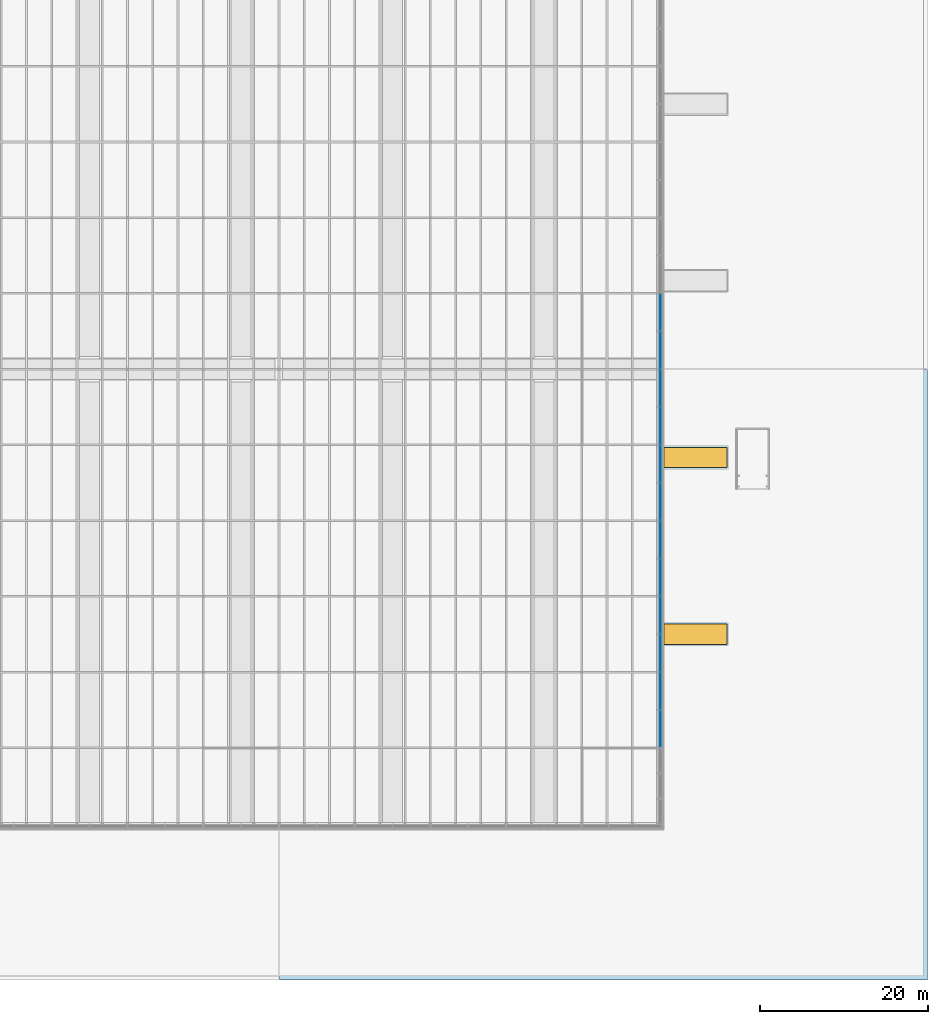
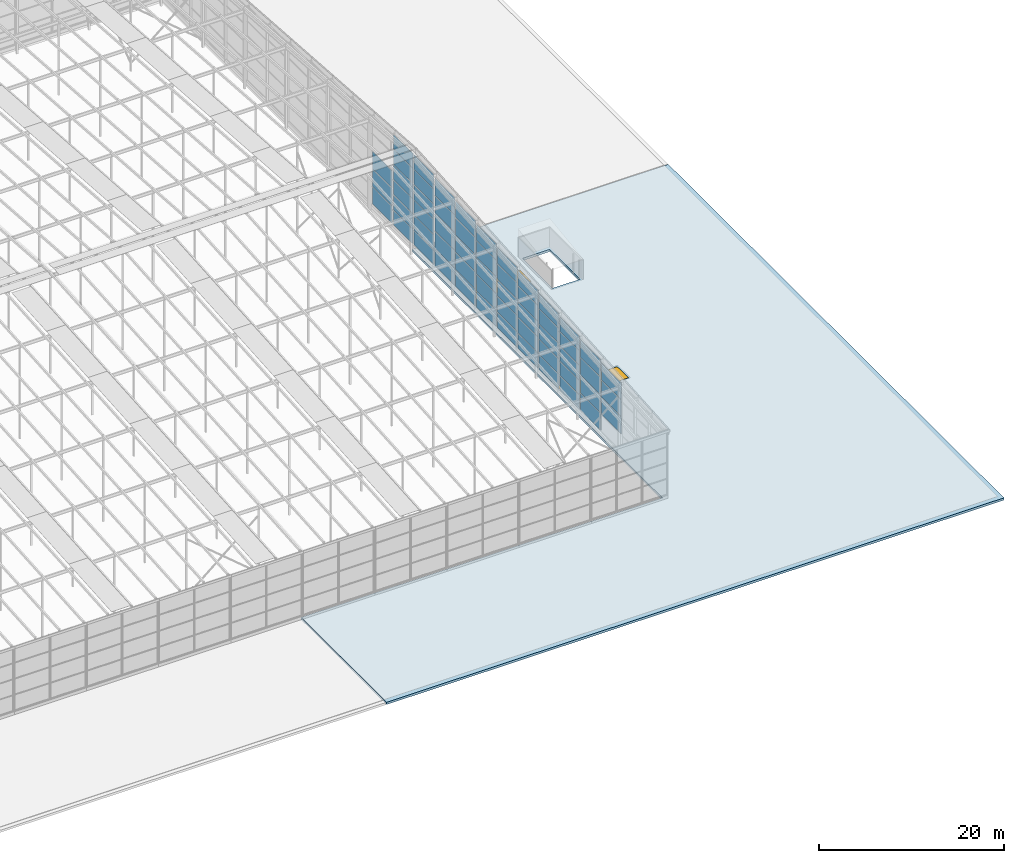
"""IFC4 building model written with IfcOpenShell, lengths in metres."""

from ifc_helpers import new_model, si_unit, direction, frame, origin, origin_2d, place, context, subcontext, project, spatial, polyline, rectangle, outline, extrude, material, layer, layer_set, type_object, element, fill, aggregate, save


model = new_model("IFC4")

# Units and contexts
model_context = context("Model", 3, precision=1e-05, world=origin(), true_north=direction((0.0, 1.0)))
body_context = subcontext(model_context, "Body", "Model", "MODEL_VIEW")
ifc_project = project(units=[si_unit("LENGTHUNIT", "METRE"), si_unit("AREAUNIT", "SQUARE_METRE"), si_unit("VOLUMEUNIT", "CUBIC_METRE"), si_unit("PLANEANGLEUNIT", "RADIAN"), si_unit("MASSUNIT", "GRAM", prefix="KILO")], contexts=[model_context])

# Site, building, storey
site_placement = place(None, origin())
site = spatial("IfcSite", under=ifc_project, at=site_placement, CompositionType="ELEMENT")
building_placement = place(site_placement, origin())
building = spatial("IfcBuilding", under=site, at=building_placement, Name="Silverbay Arena", CompositionType="ELEMENT")
storey_1_placement = place(building_placement, frame((0.0, 0.0, 47.10009765625)))
storey_1 = spatial("IfcBuildingStorey", under=building, at=storey_1_placement, Name="ROOF", CompositionType="ELEMENT", Elevation=47.10009765625)

# Curtain wall, plates
ifc_material_1 = material(Name="Aluminium framed glazing", Category="aluminium")
curtain_wall_type_1 = type_object("IfcCurtainWallType", Name="Curtain wall crown 4500 x 9100", PredefinedType="NOTDEFINED", material=ifc_material_1)
curtain_wall_1_placement = place(storey_1_placement, origin())
curtain_wall_1 = element("IfcCurtainWall", 1, at=curtain_wall_1_placement, inside=storey_1, type_object=curtain_wall_type_1, Name="ROOF CROWN CURTAIN WALL east bay 04", PredefinedType="NOTDEFINED")
ifc_material_2 = material(Name="Laminated glass", Category="glass")
ifc_layer_1 = layer(ifc_material_2, 0.031982421875)
ifc_layer_set_1 = layer_set([ifc_layer_1], Name="Laminated glass")
plate_type = type_object("IfcPlateType", Name="Glass panel 32", PredefinedType="CURTAIN_PANEL", material=ifc_layer_set_1)
storey_2_placement = place(building_placement, frame((0.0, 0.0, 33.5)))
plate_1_placement = place(storey_2_placement, frame((180.35009765625, 38.25, 16.35498046875), z_axis=(0.0, 0.0, 1.0), x_axis=(0.0, 1.0, 0.0)))
plate_1 = element("IfcPlate", 2, at=plate_1_placement, type_object=plate_type, Name="CW66 panel 1.2", PredefinedType="CURTAIN_PANEL", context=body_context, shape_type="SweptSolid", body=[
    extrude(rectangle(XDim=4.300048828125, YDim=0.031982421875, at=origin_2d()), origin(), (0.0, 0.0, 1.0), 2.215087890625),
])
plate_2_placement = place(storey_2_placement, frame((180.35009765625, 38.25, 18.6298828125), z_axis=(0.0, 0.0, 1.0), x_axis=(0.0, 1.0, 0.0)))
plate_2 = element("IfcPlate", 3, at=plate_2_placement, type_object=plate_type, Name="CW66 panel 1.3", PredefinedType="CURTAIN_PANEL", context=body_context, shape_type="SweptSolid", body=[
    extrude(rectangle(XDim=4.300048828125, YDim=0.031982421875, at=origin_2d()), origin(), (0.0, 0.0, 1.0), 2.215087890625),
])
plate_3_placement = place(storey_2_placement, frame((180.35009765625, 38.25, 20.905029296875), z_axis=(0.0, 0.0, 1.0), x_axis=(0.0, 1.0, 0.0)))
plate_3 = element("IfcPlate", 4, at=plate_3_placement, type_object=plate_type, Name="CW66 panel 1.4", PredefinedType="CURTAIN_PANEL", context=body_context, shape_type="SweptSolid", body=[
    extrude(rectangle(XDim=4.300048828125, YDim=0.031982421875, at=origin_2d()), origin(), (0.0, 0.0, 1.0), 2.18505859375),
])
aggregate(curtain_wall_1, [plate_1, plate_2, plate_3])

ifc_material_3 = material(Name="Aluminium framed glazing", Category="aluminium")
curtain_wall_type_2 = type_object("IfcCurtainWallType", Name="Curtain wall crown 4500 x 9425", PredefinedType="NOTDEFINED", material=ifc_material_3)
curtain_wall_2_placement = place(storey_1_placement, origin())
curtain_wall_2 = element("IfcCurtainWall", 5, at=curtain_wall_2_placement, inside=storey_1, type_object=curtain_wall_type_2, Name="ROOF CROWN CURTAIN WALL east bay 05", PredefinedType="NOTDEFINED")
plate_4_placement = place(storey_2_placement, frame((180.35009765625, 42.75, 14.10986328125), z_axis=(0.0, 0.0, 1.0), x_axis=(0.0, 1.0, 0.0)))
plate_4 = element("IfcPlate", 6, at=plate_4_placement, type_object=plate_type, Name="CW67 panel 1.1", PredefinedType="CURTAIN_PANEL", context=body_context, shape_type="SweptSolid", body=[
    extrude(rectangle(XDim=4.300048828125, YDim=0.031982421875, at=origin_2d()), origin(), (0.0, 0.0, 1.0), 2.266357421875),
])
plate_5_placement = place(storey_2_placement, frame((180.35009765625, 42.75, 16.4365234375), z_axis=(0.0, 0.0, 1.0), x_axis=(0.0, 1.0, 0.0)))
plate_5 = element("IfcPlate", 7, at=plate_5_placement, type_object=plate_type, Name="CW67 panel 1.2", PredefinedType="CURTAIN_PANEL", context=body_context, shape_type="SweptSolid", body=[
    extrude(rectangle(XDim=4.300048828125, YDim=0.031982421875, at=origin_2d()), origin(), (0.0, 0.0, 1.0), 2.296142578125),
])
plate_6_placement = place(storey_2_placement, frame((180.35009765625, 42.75, 18.79248046875), z_axis=(0.0, 0.0, 1.0), x_axis=(0.0, 1.0, 0.0)))
plate_6 = element("IfcPlate", 8, at=plate_6_placement, type_object=plate_type, Name="CW67 panel 1.3", PredefinedType="CURTAIN_PANEL", context=body_context, shape_type="SweptSolid", body=[
    extrude(rectangle(XDim=4.300048828125, YDim=0.031982421875, at=origin_2d()), origin(), (0.0, 0.0, 1.0), 2.296142578125),
])
plate_7_placement = place(storey_2_placement, frame((180.35009765625, 42.75, 21.14892578125), z_axis=(0.0, 0.0, 1.0), x_axis=(0.0, 1.0, 0.0)))
plate_7 = element("IfcPlate", 9, at=plate_7_placement, type_object=plate_type, Name="CW67 panel 1.4", PredefinedType="CURTAIN_PANEL", context=body_context, shape_type="SweptSolid", body=[
    extrude(rectangle(XDim=4.300048828125, YDim=0.031982421875, at=origin_2d()), origin(), (0.0, 0.0, 1.0), 2.266357421875),
])
aggregate(curtain_wall_2, [plate_4, plate_5, plate_6, plate_7])

ifc_material_4 = material(Name="Aluminium framed glazing", Category="aluminium")
curtain_wall_type_3 = type_object("IfcCurtainWallType", Name="Curtain wall crown 4500 x 9750", PredefinedType="NOTDEFINED", material=ifc_material_4)
curtain_wall_3_placement = place(storey_1_placement, origin())
curtain_wall_3 = element("IfcCurtainWall", 10, at=curtain_wall_3_placement, inside=storey_1, type_object=curtain_wall_type_3, Name="ROOF CROWN CURTAIN WALL east bay 06", PredefinedType="NOTDEFINED")
plate_8_placement = place(storey_2_placement, frame((180.35009765625, 47.25, 14.10986328125), z_axis=(0.0, 0.0, 1.0), x_axis=(0.0, 1.0, 0.0)))
plate_8 = element("IfcPlate", 11, at=plate_8_placement, type_object=plate_type, Name="CW68 panel 1.1", PredefinedType="CURTAIN_PANEL", context=body_context, shape_type="SweptSolid", body=[
    extrude(rectangle(XDim=4.300048828125, YDim=0.031982421875, at=origin_2d()), origin(), (0.0, 0.0, 1.0), 1.860107421875),
])
plate_9_placement = place(storey_2_placement, frame((180.35009765625, 47.25, 16.0302734375), z_axis=(0.0, 0.0, 1.0), x_axis=(0.0, 1.0, 0.0)))
plate_9 = element("IfcPlate", 12, at=plate_9_placement, type_object=plate_type, Name="CW68 panel 1.2", PredefinedType="CURTAIN_PANEL", context=body_context, shape_type="SweptSolid", body=[
    extrude(rectangle(XDim=4.300048828125, YDim=0.031982421875, at=origin_2d()), origin(), (0.0, 0.0, 1.0), 1.889892578125),
])
plate_10_placement = place(storey_2_placement, frame((180.35009765625, 47.25, 17.97998046875), z_axis=(0.0, 0.0, 1.0), x_axis=(0.0, 1.0, 0.0)))
plate_10 = element("IfcPlate", 13, at=plate_10_placement, type_object=plate_type, Name="CW68 panel 1.3", PredefinedType="CURTAIN_PANEL", context=body_context, shape_type="SweptSolid", body=[
    extrude(rectangle(XDim=4.300048828125, YDim=0.031982421875, at=origin_2d()), origin(), (0.0, 0.0, 1.0), 1.889892578125),
])
plate_11_placement = place(storey_2_placement, frame((180.35009765625, 47.25, 19.93017578125), z_axis=(0.0, 0.0, 1.0), x_axis=(0.0, 1.0, 0.0)))
plate_11 = element("IfcPlate", 14, at=plate_11_placement, type_object=plate_type, Name="CW68 panel 1.4", PredefinedType="CURTAIN_PANEL", context=body_context, shape_type="SweptSolid", body=[
    extrude(rectangle(XDim=4.300048828125, YDim=0.031982421875, at=origin_2d()), origin(), (0.0, 0.0, 1.0), 1.889892578125),
])
plate_12_placement = place(storey_2_placement, frame((180.35009765625, 47.25, 21.8798828125), z_axis=(0.0, 0.0, 1.0), x_axis=(0.0, 1.0, 0.0)))
plate_12 = element("IfcPlate", 15, at=plate_12_placement, type_object=plate_type, Name="CW68 panel 1.5", PredefinedType="CURTAIN_PANEL", context=body_context, shape_type="SweptSolid", body=[
    extrude(rectangle(XDim=4.300048828125, YDim=0.031982421875, at=origin_2d()), origin(), (0.0, 0.0, 1.0), 1.860107421875),
])
aggregate(curtain_wall_3, [plate_8, plate_9, plate_10, plate_11, plate_12])

ifc_material_5 = material(Name="Aluminium framed glazing", Category="aluminium")
curtain_wall_type_4 = type_object("IfcCurtainWallType", Name="Curtain wall crown 4500 x 10075", PredefinedType="NOTDEFINED", material=ifc_material_5)
curtain_wall_4_placement = place(storey_1_placement, origin())
curtain_wall_4 = element("IfcCurtainWall", 16, at=curtain_wall_4_placement, inside=storey_1, type_object=curtain_wall_type_4, Name="ROOF CROWN CURTAIN WALL east bay 07", PredefinedType="NOTDEFINED")
plate_13_placement = place(storey_2_placement, frame((180.35009765625, 51.75, 14.10986328125), z_axis=(0.0, 0.0, 1.0), x_axis=(0.0, 1.0, 0.0)))
plate_13 = element("IfcPlate", 17, at=plate_13_placement, type_object=plate_type, Name="CW69 panel 1.1", PredefinedType="CURTAIN_PANEL", context=body_context, shape_type="SweptSolid", body=[
    extrude(rectangle(XDim=4.300048828125, YDim=0.031982421875, at=origin_2d()), origin(), (0.0, 0.0, 1.0), 1.925048828125),
])
plate_14_placement = place(storey_2_placement, frame((180.35009765625, 51.75, 16.094970703125), z_axis=(0.0, 0.0, 1.0), x_axis=(0.0, 1.0, 0.0)))
plate_14 = element("IfcPlate", 18, at=plate_14_placement, type_object=plate_type, Name="CW69 panel 1.2", PredefinedType="CURTAIN_PANEL", context=body_context, shape_type="SweptSolid", body=[
    extrude(rectangle(XDim=4.300048828125, YDim=0.031982421875, at=origin_2d()), origin(), (0.0, 0.0, 1.0), 1.955078125),
])
plate_15_placement = place(storey_2_placement, frame((180.35009765625, 51.75, 18.10986328125), z_axis=(0.0, 0.0, 1.0), x_axis=(0.0, 1.0, 0.0)))
plate_15 = element("IfcPlate", 19, at=plate_15_placement, type_object=plate_type, Name="CW69 panel 1.3", PredefinedType="CURTAIN_PANEL", context=body_context, shape_type="SweptSolid", body=[
    extrude(rectangle(XDim=4.300048828125, YDim=0.031982421875, at=origin_2d()), origin(), (0.0, 0.0, 1.0), 1.955078125),
])
plate_16_placement = place(storey_2_placement, frame((180.35009765625, 51.75, 20.125), z_axis=(0.0, 0.0, 1.0), x_axis=(0.0, 1.0, 0.0)))
plate_16 = element("IfcPlate", 20, at=plate_16_placement, type_object=plate_type, Name="CW69 panel 1.4", PredefinedType="CURTAIN_PANEL", context=body_context, shape_type="SweptSolid", body=[
    extrude(rectangle(XDim=4.300048828125, YDim=0.031982421875, at=origin_2d()), origin(), (0.0, 0.0, 1.0), 1.955078125),
])
plate_17_placement = place(storey_2_placement, frame((180.35009765625, 51.75, 22.14013671875), z_axis=(0.0, 0.0, 1.0), x_axis=(0.0, 1.0, 0.0)))
plate_17 = element("IfcPlate", 21, at=plate_17_placement, type_object=plate_type, Name="CW69 panel 1.5", PredefinedType="CURTAIN_PANEL", context=body_context, shape_type="SweptSolid", body=[
    extrude(rectangle(XDim=4.300048828125, YDim=0.031982421875, at=origin_2d()), origin(), (0.0, 0.0, 1.0), 1.925048828125),
])
aggregate(curtain_wall_4, [plate_13, plate_14, plate_15, plate_16, plate_17])

ifc_material_6 = material(Name="Aluminium framed glazing", Category="aluminium")
curtain_wall_type_5 = type_object("IfcCurtainWallType", Name="Curtain wall crown 4500 x 10400", PredefinedType="NOTDEFINED", material=ifc_material_6)
curtain_wall_5_placement = place(storey_1_placement, origin())
curtain_wall_5 = element("IfcCurtainWall", 22, at=curtain_wall_5_placement, inside=storey_1, type_object=curtain_wall_type_5, Name="ROOF CROWN CURTAIN WALL east bay 08", PredefinedType="NOTDEFINED")
plate_18_placement = place(storey_2_placement, frame((180.35009765625, 56.25, 14.10986328125), z_axis=(0.0, 0.0, 1.0), x_axis=(0.0, 1.0, 0.0)))
plate_18 = element("IfcPlate", 23, at=plate_18_placement, type_object=plate_type, Name="CW70 panel 1.1", PredefinedType="CURTAIN_PANEL", context=body_context, shape_type="SweptSolid", body=[
    extrude(rectangle(XDim=4.300048828125, YDim=0.031982421875, at=origin_2d()), origin(), (0.0, 0.0, 1.0), 1.989990234375),
])
plate_19_placement = place(storey_2_placement, frame((180.35009765625, 56.25, 16.159912109375), z_axis=(0.0, 0.0, 1.0), x_axis=(0.0, 1.0, 0.0)))
plate_19 = element("IfcPlate", 24, at=plate_19_placement, type_object=plate_type, Name="CW70 panel 1.2", PredefinedType="CURTAIN_PANEL", context=body_context, shape_type="SweptSolid", body=[
    extrude(rectangle(XDim=4.300048828125, YDim=0.031982421875, at=origin_2d()), origin(), (0.0, 0.0, 1.0), 2.02001953125),
])
plate_20_placement = place(storey_2_placement, frame((180.35009765625, 56.25, 18.239990234375), z_axis=(0.0, 0.0, 1.0), x_axis=(0.0, 1.0, 0.0)))
plate_20 = element("IfcPlate", 25, at=plate_20_placement, type_object=plate_type, Name="CW70 panel 1.3", PredefinedType="CURTAIN_PANEL", context=body_context, shape_type="SweptSolid", body=[
    extrude(rectangle(XDim=4.300048828125, YDim=0.031982421875, at=origin_2d()), origin(), (0.0, 0.0, 1.0), 2.02001953125),
])
plate_21_placement = place(storey_2_placement, frame((180.35009765625, 56.25, 20.320068359375), z_axis=(0.0, 0.0, 1.0), x_axis=(0.0, 1.0, 0.0)))
plate_21 = element("IfcPlate", 26, at=plate_21_placement, type_object=plate_type, Name="CW70 panel 1.4", PredefinedType="CURTAIN_PANEL", context=body_context, shape_type="SweptSolid", body=[
    extrude(rectangle(XDim=4.300048828125, YDim=0.031982421875, at=origin_2d()), origin(), (0.0, 0.0, 1.0), 2.02001953125),
])
plate_22_placement = place(storey_2_placement, frame((180.35009765625, 56.25, 22.39990234375), z_axis=(0.0, 0.0, 1.0), x_axis=(0.0, 1.0, 0.0)))
plate_22 = element("IfcPlate", 27, at=plate_22_placement, type_object=plate_type, Name="CW70 panel 1.5", PredefinedType="CURTAIN_PANEL", context=body_context, shape_type="SweptSolid", body=[
    extrude(rectangle(XDim=4.300048828125, YDim=0.031982421875, at=origin_2d()), origin(), (0.0, 0.0, 1.0), 1.989990234375),
])
aggregate(curtain_wall_5, [plate_18, plate_19, plate_20, plate_21, plate_22])

ifc_material_7 = material(Name="Aluminium framed glazing", Category="aluminium")
curtain_wall_type_6 = type_object("IfcCurtainWallType", Name="Curtain wall crown 4500 x 10725", PredefinedType="NOTDEFINED", material=ifc_material_7)
curtain_wall_6_placement = place(storey_1_placement, origin())
curtain_wall_6 = element("IfcCurtainWall", 28, at=curtain_wall_6_placement, inside=storey_1, type_object=curtain_wall_type_6, Name="ROOF CROWN CURTAIN WALL east bay 09", PredefinedType="NOTDEFINED")
plate_23_placement = place(storey_2_placement, frame((180.35009765625, 60.75, 14.10986328125), z_axis=(0.0, 0.0, 1.0), x_axis=(0.0, 1.0, 0.0)))
plate_23 = element("IfcPlate", 29, at=plate_23_placement, type_object=plate_type, Name="CW71 panel 1.1", PredefinedType="CURTAIN_PANEL", context=body_context, shape_type="SweptSolid", body=[
    extrude(rectangle(XDim=4.300048828125, YDim=0.031982421875, at=origin_2d()), origin(), (0.0, 0.0, 1.0), 2.054931640625),
])
plate_24_placement = place(storey_2_placement, frame((180.35009765625, 60.75, 16.22509765625), z_axis=(0.0, 0.0, 1.0), x_axis=(0.0, 1.0, 0.0)))
plate_24 = element("IfcPlate", 30, at=plate_24_placement, type_object=plate_type, Name="CW71 panel 1.2", PredefinedType="CURTAIN_PANEL", context=body_context, shape_type="SweptSolid", body=[
    extrude(rectangle(XDim=4.300048828125, YDim=0.031982421875, at=origin_2d()), origin(), (0.0, 0.0, 1.0), 2.0849609375),
])
plate_25_placement = place(storey_2_placement, frame((180.35009765625, 60.75, 18.3701171875), z_axis=(0.0, 0.0, 1.0), x_axis=(0.0, 1.0, 0.0)))
plate_25 = element("IfcPlate", 31, at=plate_25_placement, type_object=plate_type, Name="CW71 panel 1.3", PredefinedType="CURTAIN_PANEL", context=body_context, shape_type="SweptSolid", body=[
    extrude(rectangle(XDim=4.300048828125, YDim=0.031982421875, at=origin_2d()), origin(), (0.0, 0.0, 1.0), 2.0849609375),
])
plate_26_placement = place(storey_2_placement, frame((180.35009765625, 60.75, 20.51513671875), z_axis=(0.0, 0.0, 1.0), x_axis=(0.0, 1.0, 0.0)))
plate_26 = element("IfcPlate", 32, at=plate_26_placement, type_object=plate_type, Name="CW71 panel 1.4", PredefinedType="CURTAIN_PANEL", context=body_context, shape_type="SweptSolid", body=[
    extrude(rectangle(XDim=4.300048828125, YDim=0.031982421875, at=origin_2d()), origin(), (0.0, 0.0, 1.0), 2.0849609375),
])
plate_27_placement = place(storey_2_placement, frame((180.35009765625, 60.75, 22.66015625), z_axis=(0.0, 0.0, 1.0), x_axis=(0.0, 1.0, 0.0)))
plate_27 = element("IfcPlate", 33, at=plate_27_placement, type_object=plate_type, Name="CW71 panel 1.5", PredefinedType="CURTAIN_PANEL", context=body_context, shape_type="SweptSolid", body=[
    extrude(rectangle(XDim=4.300048828125, YDim=0.031982421875, at=origin_2d()), origin(), (0.0, 0.0, 1.0), 2.054931640625),
])
aggregate(curtain_wall_6, [plate_23, plate_24, plate_25, plate_26, plate_27])

ifc_material_8 = material(Name="Aluminium framed glazing", Category="aluminium")
curtain_wall_type_7 = type_object("IfcCurtainWallType", Name="Curtain wall crown 4500 x 11050", PredefinedType="NOTDEFINED", material=ifc_material_8)
curtain_wall_7_placement = place(storey_1_placement, origin())
curtain_wall_7 = element("IfcCurtainWall", 34, at=curtain_wall_7_placement, inside=storey_1, type_object=curtain_wall_type_7, Name="ROOF CROWN CURTAIN WALL east bay 10", PredefinedType="NOTDEFINED")
plate_28_placement = place(storey_2_placement, frame((180.35009765625, 65.25, 14.10986328125), z_axis=(0.0, 0.0, 1.0), x_axis=(0.0, 1.0, 0.0)))
plate_28 = element("IfcPlate", 35, at=plate_28_placement, type_object=plate_type, Name="CW72 panel 1.1", PredefinedType="CURTAIN_PANEL", context=body_context, shape_type="SweptSolid", body=[
    extrude(rectangle(XDim=4.300048828125, YDim=0.031982421875, at=origin_2d()), origin(), (0.0, 0.0, 1.0), 2.1201171875),
])
plate_29_placement = place(storey_2_placement, frame((180.35009765625, 65.25, 16.2900390625), z_axis=(0.0, 0.0, 1.0), x_axis=(0.0, 1.0, 0.0)))
plate_29 = element("IfcPlate", 36, at=plate_29_placement, type_object=plate_type, Name="CW72 panel 1.2", PredefinedType="CURTAIN_PANEL", context=body_context, shape_type="SweptSolid", body=[
    extrude(rectangle(XDim=4.300048828125, YDim=0.031982421875, at=origin_2d()), origin(), (0.0, 0.0, 1.0), 2.14990234375),
])
plate_30_placement = place(storey_2_placement, frame((180.35009765625, 65.25, 18.5), z_axis=(0.0, 0.0, 1.0), x_axis=(0.0, 1.0, 0.0)))
plate_30 = element("IfcPlate", 37, at=plate_30_placement, type_object=plate_type, Name="CW72 panel 1.3", PredefinedType="CURTAIN_PANEL", context=body_context, shape_type="SweptSolid", body=[
    extrude(rectangle(XDim=4.300048828125, YDim=0.031982421875, at=origin_2d()), origin(), (0.0, 0.0, 1.0), 2.14990234375),
])
plate_31_placement = place(storey_2_placement, frame((180.35009765625, 65.25, 20.7099609375), z_axis=(0.0, 0.0, 1.0), x_axis=(0.0, 1.0, 0.0)))
plate_31 = element("IfcPlate", 38, at=plate_31_placement, type_object=plate_type, Name="CW72 panel 1.4", PredefinedType="CURTAIN_PANEL", context=body_context, shape_type="SweptSolid", body=[
    extrude(rectangle(XDim=4.300048828125, YDim=0.031982421875, at=origin_2d()), origin(), (0.0, 0.0, 1.0), 2.14990234375),
])
plate_32_placement = place(storey_2_placement, frame((180.35009765625, 65.25, 22.919921875), z_axis=(0.0, 0.0, 1.0), x_axis=(0.0, 1.0, 0.0)))
plate_32 = element("IfcPlate", 39, at=plate_32_placement, type_object=plate_type, Name="CW72 panel 1.5", PredefinedType="CURTAIN_PANEL", context=body_context, shape_type="SweptSolid", body=[
    extrude(rectangle(XDim=4.300048828125, YDim=0.031982421875, at=origin_2d()), origin(), (0.0, 0.0, 1.0), 2.1201171875),
])
aggregate(curtain_wall_7, [plate_28, plate_29, plate_30, plate_31, plate_32])

ifc_material_9 = material(Name="Aluminium framed glazing", Category="aluminium")
curtain_wall_type_8 = type_object("IfcCurtainWallType", Name="Curtain wall crown 4500 x 11375", PredefinedType="NOTDEFINED", material=ifc_material_9)
curtain_wall_8_placement = place(storey_1_placement, origin())
curtain_wall_8 = element("IfcCurtainWall", 40, at=curtain_wall_8_placement, inside=storey_1, type_object=curtain_wall_type_8, Name="ROOF CROWN CURTAIN WALL east bay 11", PredefinedType="NOTDEFINED")
plate_33_placement = place(storey_2_placement, frame((180.35009765625, 69.75, 14.10986328125), z_axis=(0.0, 0.0, 1.0), x_axis=(0.0, 1.0, 0.0)))
plate_33 = element("IfcPlate", 41, at=plate_33_placement, type_object=plate_type, Name="CW73 panel 1.1", PredefinedType="CURTAIN_PANEL", context=body_context, shape_type="SweptSolid", body=[
    extrude(rectangle(XDim=4.300048828125, YDim=0.031982421875, at=origin_2d()), origin(), (0.0, 0.0, 1.0), 2.18505859375),
])
plate_34_placement = place(storey_2_placement, frame((180.35009765625, 69.75, 16.35498046875), z_axis=(0.0, 0.0, 1.0), x_axis=(0.0, 1.0, 0.0)))
plate_34 = element("IfcPlate", 42, at=plate_34_placement, type_object=plate_type, Name="CW73 panel 1.2", PredefinedType="CURTAIN_PANEL", context=body_context, shape_type="SweptSolid", body=[
    extrude(rectangle(XDim=4.300048828125, YDim=0.031982421875, at=origin_2d()), origin(), (0.0, 0.0, 1.0), 2.215087890625),
])
plate_35_placement = place(storey_2_placement, frame((180.35009765625, 69.75, 18.6298828125), z_axis=(0.0, 0.0, 1.0), x_axis=(0.0, 1.0, 0.0)))
plate_35 = element("IfcPlate", 43, at=plate_35_placement, type_object=plate_type, Name="CW73 panel 1.3", PredefinedType="CURTAIN_PANEL", context=body_context, shape_type="SweptSolid", body=[
    extrude(rectangle(XDim=4.300048828125, YDim=0.031982421875, at=origin_2d()), origin(), (0.0, 0.0, 1.0), 2.215087890625),
])
plate_36_placement = place(storey_2_placement, frame((180.35009765625, 69.75, 20.90478515625), z_axis=(0.0, 0.0, 1.0), x_axis=(0.0, 1.0, 0.0)))
plate_36 = element("IfcPlate", 44, at=plate_36_placement, type_object=plate_type, Name="CW73 panel 1.4", PredefinedType="CURTAIN_PANEL", context=body_context, shape_type="SweptSolid", body=[
    extrude(rectangle(XDim=4.300048828125, YDim=0.031982421875, at=origin_2d()), origin(), (0.0, 0.0, 1.0), 2.215087890625),
])
plate_37_placement = place(storey_2_placement, frame((180.35009765625, 69.75, 23.179931640625), z_axis=(0.0, 0.0, 1.0), x_axis=(0.0, 1.0, 0.0)))
plate_37 = element("IfcPlate", 45, at=plate_37_placement, type_object=plate_type, Name="CW73 panel 1.5", PredefinedType="CURTAIN_PANEL", context=body_context, shape_type="SweptSolid", body=[
    extrude(rectangle(XDim=4.300048828125, YDim=0.031982421875, at=origin_2d()), origin(), (0.0, 0.0, 1.0), 2.18505859375),
])
aggregate(curtain_wall_8, [plate_33, plate_34, plate_35, plate_36, plate_37])

ifc_material_10 = material(Name="Aluminium framed glazing", Category="aluminium")
curtain_wall_type_9 = type_object("IfcCurtainWallType", Name="Curtain wall crown 4500 x 11700", PredefinedType="NOTDEFINED", material=ifc_material_10)
curtain_wall_9_placement = place(storey_1_placement, origin())
curtain_wall_9 = element("IfcCurtainWall", 46, at=curtain_wall_9_placement, inside=storey_1, type_object=curtain_wall_type_9, Name="ROOF CROWN CURTAIN WALL east bay 12", PredefinedType="NOTDEFINED")
plate_38_placement = place(storey_2_placement, frame((180.35009765625, 74.25, 14.110107421875), z_axis=(0.0, 0.0, 1.0), x_axis=(0.0, 1.0, 0.0)))
plate_38 = element("IfcPlate", 47, at=plate_38_placement, type_object=plate_type, Name="CW74 panel 1.1", PredefinedType="CURTAIN_PANEL", context=body_context, shape_type="SweptSolid", body=[
    extrude(rectangle(XDim=4.300048828125, YDim=0.031982421875, at=origin_2d()), origin(), (0.0, 0.0, 1.0), 2.25),
])
plate_39_placement = place(storey_2_placement, frame((180.35009765625, 74.25, 16.419921875), z_axis=(0.0, 0.0, 1.0), x_axis=(0.0, 1.0, 0.0)))
plate_39 = element("IfcPlate", 48, at=plate_39_placement, type_object=plate_type, Name="CW74 panel 1.2", PredefinedType="CURTAIN_PANEL", context=body_context, shape_type="SweptSolid", body=[
    extrude(rectangle(XDim=4.300048828125, YDim=0.031982421875, at=origin_2d()), origin(), (0.0, 0.0, 1.0), 2.280029296875),
])
plate_40_placement = place(storey_2_placement, frame((180.35009765625, 74.25, 18.759765625), z_axis=(0.0, 0.0, 1.0), x_axis=(0.0, 1.0, 0.0)))
plate_40 = element("IfcPlate", 49, at=plate_40_placement, type_object=plate_type, Name="CW74 panel 1.3", PredefinedType="CURTAIN_PANEL", context=body_context, shape_type="SweptSolid", body=[
    extrude(rectangle(XDim=4.300048828125, YDim=0.031982421875, at=origin_2d()), origin(), (0.0, 0.0, 1.0), 2.280029296875),
])
plate_41_placement = place(storey_2_placement, frame((180.35009765625, 74.25, 21.10009765625), z_axis=(0.0, 0.0, 1.0), x_axis=(0.0, 1.0, 0.0)))
plate_41 = element("IfcPlate", 50, at=plate_41_placement, type_object=plate_type, Name="CW74 panel 1.4", PredefinedType="CURTAIN_PANEL", context=body_context, shape_type="SweptSolid", body=[
    extrude(rectangle(XDim=4.300048828125, YDim=0.031982421875, at=origin_2d()), origin(), (0.0, 0.0, 1.0), 2.280029296875),
])
plate_42_placement = place(storey_2_placement, frame((180.35009765625, 74.25, 23.43994140625), z_axis=(0.0, 0.0, 1.0), x_axis=(0.0, 1.0, 0.0)))
plate_42 = element("IfcPlate", 51, at=plate_42_placement, type_object=plate_type, Name="CW74 panel 1.5", PredefinedType="CURTAIN_PANEL", context=body_context, shape_type="SweptSolid", body=[
    extrude(rectangle(XDim=4.300048828125, YDim=0.031982421875, at=origin_2d()), origin(), (0.0, 0.0, 1.0), 2.25),
])
aggregate(curtain_wall_9, [plate_38, plate_39, plate_40, plate_41, plate_42])

ifc_material_11 = material(Name="Aluminium framed glazing", Category="aluminium")
curtain_wall_type_10 = type_object("IfcCurtainWallType", Name="Curtain wall crown 4500 x 12025", PredefinedType="NOTDEFINED", material=ifc_material_11)
curtain_wall_10_placement = place(storey_1_placement, origin())
curtain_wall_10 = element("IfcCurtainWall", 52, at=curtain_wall_10_placement, inside=storey_1, type_object=curtain_wall_type_10, Name="ROOF CROWN CURTAIN WALL east bay 13", PredefinedType="NOTDEFINED")
plate_43_placement = place(storey_2_placement, frame((180.35009765625, 78.75, 14.110107421875), z_axis=(0.0, 0.0, 1.0), x_axis=(0.0, 1.0, 0.0)))
plate_43 = element("IfcPlate", 53, at=plate_43_placement, type_object=plate_type, Name="CW75 panel 1.1", PredefinedType="CURTAIN_PANEL", context=body_context, shape_type="SweptSolid", body=[
    extrude(rectangle(XDim=4.300048828125, YDim=0.031982421875, at=origin_2d()), origin(), (0.0, 0.0, 1.0), 1.9140625),
])
plate_44_placement = place(storey_2_placement, frame((180.35009765625, 78.75, 16.083984375), z_axis=(0.0, 0.0, 1.0), x_axis=(0.0, 1.0, 0.0)))
plate_44 = element("IfcPlate", 54, at=plate_44_placement, type_object=plate_type, Name="CW75 panel 1.2", PredefinedType="CURTAIN_PANEL", context=body_context, shape_type="SweptSolid", body=[
    extrude(rectangle(XDim=4.300048828125, YDim=0.031982421875, at=origin_2d()), origin(), (0.0, 0.0, 1.0), 1.944091796875),
])
plate_45_placement = place(storey_2_placement, frame((180.35009765625, 78.75, 18.08837890625), z_axis=(0.0, 0.0, 1.0), x_axis=(0.0, 1.0, 0.0)))
plate_45 = element("IfcPlate", 55, at=plate_45_placement, type_object=plate_type, Name="CW75 panel 1.3", PredefinedType="CURTAIN_PANEL", context=body_context, shape_type="SweptSolid", body=[
    extrude(rectangle(XDim=4.300048828125, YDim=0.031982421875, at=origin_2d()), origin(), (0.0, 0.0, 1.0), 1.944091796875),
])
plate_46_placement = place(storey_2_placement, frame((180.35009765625, 78.75, 20.0927734375), z_axis=(0.0, 0.0, 1.0), x_axis=(0.0, 1.0, 0.0)))
plate_46 = element("IfcPlate", 56, at=plate_46_placement, type_object=plate_type, Name="CW75 panel 1.4", PredefinedType="CURTAIN_PANEL", context=body_context, shape_type="SweptSolid", body=[
    extrude(rectangle(XDim=4.300048828125, YDim=0.031982421875, at=origin_2d()), origin(), (0.0, 0.0, 1.0), 1.944091796875),
])
plate_47_placement = place(storey_2_placement, frame((180.35009765625, 78.75, 22.0966796875), z_axis=(0.0, 0.0, 1.0), x_axis=(0.0, 1.0, 0.0)))
plate_47 = element("IfcPlate", 57, at=plate_47_placement, type_object=plate_type, Name="CW75 panel 1.5", PredefinedType="CURTAIN_PANEL", context=body_context, shape_type="SweptSolid", body=[
    extrude(rectangle(XDim=4.300048828125, YDim=0.031982421875, at=origin_2d()), origin(), (0.0, 0.0, 1.0), 1.944091796875),
])
plate_48_placement = place(storey_2_placement, frame((180.35009765625, 78.75, 24.100830078125), z_axis=(0.0, 0.0, 1.0), x_axis=(0.0, 1.0, 0.0)))
plate_48 = element("IfcPlate", 58, at=plate_48_placement, type_object=plate_type, Name="CW75 panel 1.6", PredefinedType="CURTAIN_PANEL", context=body_context, shape_type="SweptSolid", body=[
    extrude(rectangle(XDim=4.300048828125, YDim=0.031982421875, at=origin_2d()), origin(), (0.0, 0.0, 1.0), 1.9140625),
])
aggregate(curtain_wall_10, [plate_43, plate_44, plate_45, plate_46, plate_47, plate_48])

curtain_wall_11_placement = place(storey_1_placement, origin())
curtain_wall_11 = element("IfcCurtainWall", 59, at=curtain_wall_11_placement, inside=storey_1, type_object=curtain_wall_type_10, Name="ROOF CROWN CURTAIN WALL east bay 14", PredefinedType="NOTDEFINED")
plate_49_placement = place(storey_2_placement, frame((180.35009765625, 83.25, 14.110107421875), z_axis=(0.0, 0.0, 1.0), x_axis=(0.0, 1.0, 0.0)))
plate_49 = element("IfcPlate", 60, at=plate_49_placement, type_object=plate_type, Name="CW75 panel 1.1", PredefinedType="CURTAIN_PANEL", context=body_context, shape_type="SweptSolid", body=[
    extrude(rectangle(XDim=4.300048828125, YDim=0.031982421875, at=origin_2d()), origin(), (0.0, 0.0, 1.0), 1.9140625),
])
plate_50_placement = place(storey_2_placement, frame((180.35009765625, 83.25, 16.083984375), z_axis=(0.0, 0.0, 1.0), x_axis=(0.0, 1.0, 0.0)))
plate_50 = element("IfcPlate", 61, at=plate_50_placement, type_object=plate_type, Name="CW75 panel 1.2", PredefinedType="CURTAIN_PANEL", context=body_context, shape_type="SweptSolid", body=[
    extrude(rectangle(XDim=4.300048828125, YDim=0.031982421875, at=origin_2d()), origin(), (0.0, 0.0, 1.0), 1.944091796875),
])
plate_51_placement = place(storey_2_placement, frame((180.35009765625, 83.25, 18.08837890625), z_axis=(0.0, 0.0, 1.0), x_axis=(0.0, 1.0, 0.0)))
plate_51 = element("IfcPlate", 62, at=plate_51_placement, type_object=plate_type, Name="CW75 panel 1.3", PredefinedType="CURTAIN_PANEL", context=body_context, shape_type="SweptSolid", body=[
    extrude(rectangle(XDim=4.300048828125, YDim=0.031982421875, at=origin_2d()), origin(), (0.0, 0.0, 1.0), 1.944091796875),
])
plate_52_placement = place(storey_2_placement, frame((180.35009765625, 83.25, 20.0927734375), z_axis=(0.0, 0.0, 1.0), x_axis=(0.0, 1.0, 0.0)))
plate_52 = element("IfcPlate", 63, at=plate_52_placement, type_object=plate_type, Name="CW75 panel 1.4", PredefinedType="CURTAIN_PANEL", context=body_context, shape_type="SweptSolid", body=[
    extrude(rectangle(XDim=4.300048828125, YDim=0.031982421875, at=origin_2d()), origin(), (0.0, 0.0, 1.0), 1.944091796875),
])
plate_53_placement = place(storey_2_placement, frame((180.35009765625, 83.25, 22.0966796875), z_axis=(0.0, 0.0, 1.0), x_axis=(0.0, 1.0, 0.0)))
plate_53 = element("IfcPlate", 64, at=plate_53_placement, type_object=plate_type, Name="CW75 panel 1.5", PredefinedType="CURTAIN_PANEL", context=body_context, shape_type="SweptSolid", body=[
    extrude(rectangle(XDim=4.300048828125, YDim=0.031982421875, at=origin_2d()), origin(), (0.0, 0.0, 1.0), 1.944091796875),
])
plate_54_placement = place(storey_2_placement, frame((180.35009765625, 83.25, 24.100830078125), z_axis=(0.0, 0.0, 1.0), x_axis=(0.0, 1.0, 0.0)))
plate_54 = element("IfcPlate", 65, at=plate_54_placement, type_object=plate_type, Name="CW75 panel 1.6", PredefinedType="CURTAIN_PANEL", context=body_context, shape_type="SweptSolid", body=[
    extrude(rectangle(XDim=4.300048828125, YDim=0.031982421875, at=origin_2d()), origin(), (0.0, 0.0, 1.0), 1.9140625),
])
aggregate(curtain_wall_11, [plate_49, plate_50, plate_51, plate_52, plate_53, plate_54])

curtain_wall_12_placement = place(storey_1_placement, origin())
curtain_wall_12 = element("IfcCurtainWall", 66, at=curtain_wall_12_placement, inside=storey_1, type_object=curtain_wall_type_9, Name="ROOF CROWN CURTAIN WALL east bay 15", PredefinedType="NOTDEFINED")
plate_55_placement = place(storey_2_placement, frame((180.35009765625, 87.75, 14.110107421875), z_axis=(0.0, 0.0, 1.0), x_axis=(0.0, 1.0, 0.0)))
plate_55 = element("IfcPlate", 67, at=plate_55_placement, type_object=plate_type, Name="CW74 panel 1.1", PredefinedType="CURTAIN_PANEL", context=body_context, shape_type="SweptSolid", body=[
    extrude(rectangle(XDim=4.300048828125, YDim=0.031982421875, at=origin_2d()), origin(), (0.0, 0.0, 1.0), 2.25),
])
plate_56_placement = place(storey_2_placement, frame((180.35009765625, 87.75, 16.419921875), z_axis=(0.0, 0.0, 1.0), x_axis=(0.0, 1.0, 0.0)))
plate_56 = element("IfcPlate", 68, at=plate_56_placement, type_object=plate_type, Name="CW74 panel 1.2", PredefinedType="CURTAIN_PANEL", context=body_context, shape_type="SweptSolid", body=[
    extrude(rectangle(XDim=4.300048828125, YDim=0.031982421875, at=origin_2d()), origin(), (0.0, 0.0, 1.0), 2.280029296875),
])
plate_57_placement = place(storey_2_placement, frame((180.35009765625, 87.75, 18.759765625), z_axis=(0.0, 0.0, 1.0), x_axis=(0.0, 1.0, 0.0)))
plate_57 = element("IfcPlate", 69, at=plate_57_placement, type_object=plate_type, Name="CW74 panel 1.3", PredefinedType="CURTAIN_PANEL", context=body_context, shape_type="SweptSolid", body=[
    extrude(rectangle(XDim=4.300048828125, YDim=0.031982421875, at=origin_2d()), origin(), (0.0, 0.0, 1.0), 2.280029296875),
])
aggregate(curtain_wall_12, [plate_55, plate_56, plate_57])

# Slab, openings
ifc_material_12 = material(Name="Steel S350GD", Category="steel")
ifc_layer_2 = layer(ifc_material_12, 0.300048828125)
ifc_layer_set_2 = layer_set([ifc_layer_2], Name="Steel S350GD")
slab_type = type_object("IfcSlabType", Name="Roof deck 300", PredefinedType="ROOF", material=ifc_layer_set_2)
slab_placement = place(storey_1_placement, frame((0.0, 0.0, -0.300048828125)))
slab = element("IfcSlab", 70, at=slab_placement, inside=storey_1, type_object=slab_type, Name="ROOF DECK south-east", PredefinedType="ROOF", context=body_context, shape_type="SweptSolid", body=[
    extrude(outline(polyline([(212.10009765625, 80.97509765625), (180.125, 80.97509765625), (180.125, 26.875), (135.044921875, 26.875), (135.044921875, 8.39990234375), (212.10009765625, 8.39990234375), (212.10009765625, 80.97509765625)]), holes=[polyline([(189.60009765625, 67.0), (193.0, 67.0), (193.0, 73.5), (189.60009765625, 73.5), (189.60009765625, 67.0)])]), origin(), (0.0, 0.0, 1.0), 0.300048828125),
])
opening_1_placement = place(slab_placement, frame((184.5, 49.5, 0.0)))
opening_1 = element("IfcOpeningElement", 71, at=opening_1_placement, cuts=slab, Name="Opening RL1", PredefinedType="OPENING", context=body_context, shape_type="SweptSolid", body=[
    extrude(rectangle(XDim=7.5, YDim=2.39990234375, at=origin_2d()), origin(), (0.0, 0.0, 1.0), 0.300048828125),
])
opening_2_placement = place(slab_placement, frame((184.5, 70.5, 0.0)))
opening_2 = element("IfcOpeningElement", 72, at=opening_2_placement, cuts=slab, Name="Opening RL1", PredefinedType="OPENING", context=body_context, shape_type="SweptSolid", body=[
    extrude(rectangle(XDim=7.5, YDim=2.39990234375, at=origin_2d()), origin(), (0.0, 0.0, 1.0), 0.300048828125),
])

# Storey
storey_2 = spatial("IfcBuildingStorey", under=building, at=storey_2_placement, Name="L05", CompositionType="ELEMENT", Elevation=33.5)

# Window
ifc_material_13 = material(Name="Aluminium framed glazing", Category="aluminium")
window_type = type_object("IfcWindowType", Name="Roof light 7500x2400", PartitioningType="SINGLE_PANEL", PredefinedType="SKYLIGHT", material=ifc_material_13)
window_1_placement = place(opening_1_placement, frame((0.0, 0.0, 0.25)))
window_1 = element("IfcWindow", 73, at=window_1_placement, inside=storey_2, type_object=window_type, Name="Roof light SE 02", OverallHeight=2.39990234375, OverallWidth=7.5, PartitioningType="SINGLE_PANEL", PredefinedType="SKYLIGHT", context=body_context, shape_type="SweptSolid", body=[
    extrude(rectangle(XDim=7.5, YDim=2.39990234375, at=origin_2d()), origin(), (0.0, 0.0, 1.0), 0.050048828125),
])

fill(opening_1, window_1)

window_2_placement = place(opening_2_placement, frame((0.0, 0.0, 0.25)))
window_2 = element("IfcWindow", 74, at=window_2_placement, inside=storey_2, type_object=window_type, Name="Roof light SE 04", OverallHeight=2.39990234375, OverallWidth=7.5, PartitioningType="SINGLE_PANEL", PredefinedType="SKYLIGHT", context=body_context, shape_type="SweptSolid", body=[
    extrude(rectangle(XDim=7.5, YDim=2.39990234375, at=origin_2d()), origin(), (0.0, 0.0, 1.0), 0.050048828125),
])

fill(opening_2, window_2)

save(model, "model.ifc")
